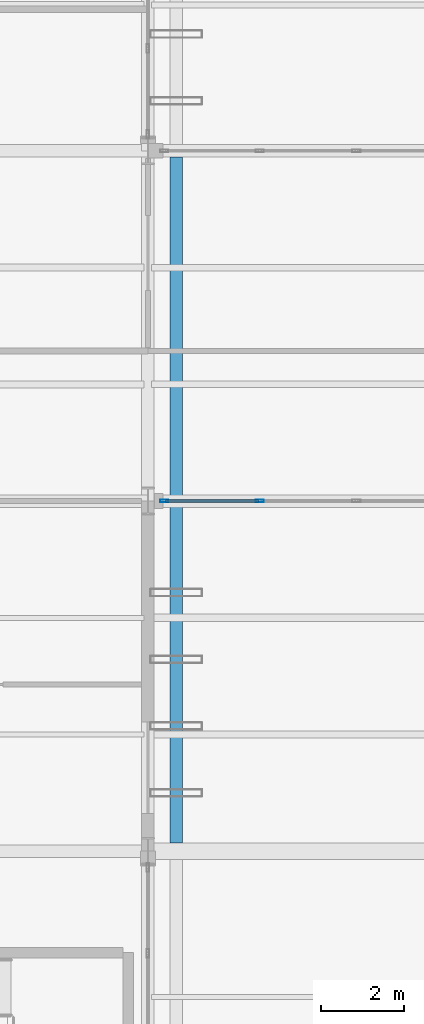
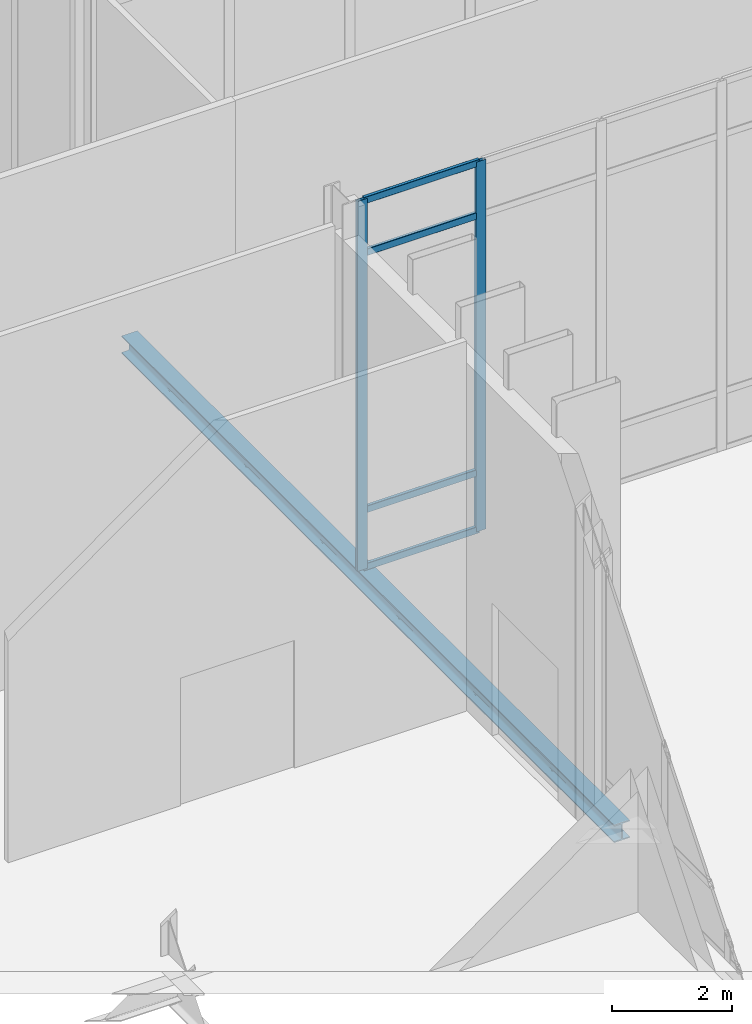
# One storey, part 95 of 176: 6 members, 1 beam, 1 element without a shape of its own.
"""IFC4 building model written with IfcOpenShell, lengths in metres."""

from ifc_helpers import new_model, si_unit, direction, frame, origin, origin_2d, place, context, subcontext, project, spatial, hollow_rectangle, i_section, extrude, material, layer, layer_set, material_profile, profile_set, type_object, element, aggregate, save


model = new_model("IFC4")

# Units and contexts
model_context = context("Model", 3, precision=1e-05, world=origin(), true_north=direction((0.0, 1.0)))
body_context = subcontext(model_context, "Body", "Model", "MODEL_VIEW")
ifc_project = project(units=[si_unit("LENGTHUNIT", "METRE"), si_unit("AREAUNIT", "SQUARE_METRE"), si_unit("VOLUMEUNIT", "CUBIC_METRE"), si_unit("PLANEANGLEUNIT", "RADIAN"), si_unit("MASSUNIT", "GRAM", prefix="KILO")], contexts=[model_context])

# Site, building, storey
site_placement = place(None, origin())
site = spatial("IfcSite", under=ifc_project, at=site_placement, CompositionType="ELEMENT")
building_placement = place(site_placement, origin())
building = spatial("IfcBuilding", under=site, at=building_placement, Name="Vekula Escarpment Museum", CompositionType="ELEMENT")
storey_placement = place(building_placement, origin())
storey = spatial("IfcBuildingStorey", under=building, at=storey_placement, Name="L01", CompositionType="ELEMENT", Elevation=0.0)

# Beam
ifc_material_1 = material(Name="Steel S355", Category="steel")
ifc_material_profile_1 = material_profile(ifc_material_1, i_section(OverallWidth=0.300048828125, OverallDepth=0.360107421875, WebThickness=0.012451171875, FlangeThickness=0.0224609375, FilletRadius=0.027099609375, at=origin_2d()), Name="HEB 360")
ifc_profile_set_1 = profile_set([ifc_material_profile_1], Name="Steel S355")
beam_type = type_object("IfcBeamType", Name="BM-GIRD-HEB360", PredefinedType="BEAM", material=ifc_profile_set_1)
beam_placement = place(storey_placement, frame((126.679931640625, 59.800048828125, -0.47998046875), z_axis=(0.0, 1.0, 0.0), x_axis=(-1.0, 0.0, 0.0)))
element("IfcBeam", 1, at=beam_placement, inside=storey, type_object=beam_type, Name="Solar Fin Sill Girder 021", PredefinedType="BEAM", context=body_context, shape_type="SweptSolid", body=[
    extrude(i_section(OverallWidth=0.300048828125, OverallDepth=0.360107421875, WebThickness=0.012451171875, FlangeThickness=0.0224609375, FilletRadius=0.027099609375, at=origin_2d()), origin(), (0.0, 0.0, 1.0), 16.449951171875),
])

# Curtain wall, members
ifc_material_2 = material(Name="Aluminium thermally broken framing", Category="aluminium")
ifc_layer = layer(ifc_material_2, 0.159912109375)
ifc_layer_set = layer_set([ifc_layer], Name="Aluminium thermally broken framing")
curtain_wall_type = type_object("IfcCurtainWallType", Name="CW-SYS-02", PredefinedType="NOTDEFINED", material=ifc_layer_set)
curtain_wall_placement = place(storey_placement, origin())
curtain_wall = element("IfcCurtainWall", 2, at=curtain_wall_placement, inside=storey, type_object=curtain_wall_type, Name="Curtain Wall CW-L01-012", PredefinedType="NOTDEFINED")
ifc_material_3 = material(Name="Aluminium anodized mullion", Category="aluminium")
ifc_material_profile_2 = material_profile(ifc_material_3, hollow_rectangle(XDim=0.06494140625, YDim=0.199951171875, WallThickness=0.00390625, InnerFilletRadius=0.00390625, OuterFilletRadius=0.008056640625, at=origin_2d()), Name="ALU 200x65x4")
ifc_profile_set_2 = profile_set([ifc_material_profile_2], Name="Aluminium anodized mullion")
member_type_1 = type_object("IfcMemberType", Name="CW-MUL-200", PredefinedType="MULLION", material=ifc_profile_set_2)
member_1_placement = place(storey_placement, frame((126.392578125, 68.0, 0.0), z_axis=(0.0, 0.0, 1.0), x_axis=(0.0, 1.0, 0.0)))
member_1 = element("IfcMember", 3, at=member_1_placement, type_object=member_type_1, Name="CW-02 mullion 1", PredefinedType="MULLION", context=body_context, shape_type="SweptSolid", body=[
    extrude(hollow_rectangle(XDim=0.06494140625, YDim=0.199951171875, WallThickness=0.00390625, InnerFilletRadius=0.00390625, OuterFilletRadius=0.008056640625, at=origin_2d()), origin(), (0.0, 0.0, 1.0), 7.5400390625),
])
member_2_placement = place(storey_placement, frame((128.679931640625, 68.0, 0.0), z_axis=(0.0, 0.0, 1.0), x_axis=(0.0, 1.0, 0.0)))
member_2 = element("IfcMember", 4, at=member_2_placement, type_object=member_type_1, Name="CW-02 mullion 2", PredefinedType="MULLION", context=body_context, shape_type="SweptSolid", body=[
    extrude(hollow_rectangle(XDim=0.06494140625, YDim=0.199951171875, WallThickness=0.00390625, InnerFilletRadius=0.00390625, OuterFilletRadius=0.008056640625, at=origin_2d()), origin(), (0.0, 0.0, 1.0), 7.5400390625),
])
ifc_material_4 = material(Name="Aluminium anodized transom", Category="aluminium")
ifc_material_profile_3 = material_profile(ifc_material_4, hollow_rectangle(XDim=0.06494140625, YDim=0.139892578125, WallThickness=0.00390625, InnerFilletRadius=0.00390625, OuterFilletRadius=0.008056640625, at=origin_2d()), Name="ALU 140x65x4")
ifc_profile_set_3 = profile_set([ifc_material_profile_3], Name="Aluminium anodized transom")
member_type_2 = type_object("IfcMemberType", Name="CW-TRN-140", PredefinedType="USERDEFINED", material=ifc_profile_set_3)
member_3_placement = place(storey_placement, frame((126.425048828125, 68.0, 0.032470703125), z_axis=(1.0, 0.0, 0.0), x_axis=(0.0, 1.0, 0.0)))
member_3 = element("IfcMember", 5, at=member_3_placement, type_object=member_type_2, Name="CW-02 transom 1.1", ObjectType="TRANSOM", PredefinedType="USERDEFINED", context=body_context, shape_type="SweptSolid", body=[
    extrude(hollow_rectangle(XDim=0.06494140625, YDim=0.139892578125, WallThickness=0.00390625, InnerFilletRadius=0.00390625, OuterFilletRadius=0.008056640625, at=origin_2d()), origin(), (0.0, 0.0, 1.0), 2.222412109375),
])
member_4_placement = place(storey_placement, frame((126.425048828125, 68.0, 1.199951171875), z_axis=(1.0, 0.0, 0.0), x_axis=(0.0, 1.0, 0.0)))
member_4 = element("IfcMember", 6, at=member_4_placement, type_object=member_type_2, Name="CW-02 transom 1.2", ObjectType="TRANSOM", PredefinedType="USERDEFINED", context=body_context, shape_type="SweptSolid", body=[
    extrude(hollow_rectangle(XDim=0.06494140625, YDim=0.139892578125, WallThickness=0.00390625, InnerFilletRadius=0.00390625, OuterFilletRadius=0.008056640625, at=origin_2d()), origin(), (0.0, 0.0, 1.0), 2.222412109375),
])
member_5_placement = place(storey_placement, frame((126.425048828125, 68.0, 6.43994140625), z_axis=(1.0, 0.0, 0.0), x_axis=(0.0, 1.0, 0.0)))
member_5 = element("IfcMember", 7, at=member_5_placement, type_object=member_type_2, Name="CW-02 transom 1.3", ObjectType="TRANSOM", PredefinedType="USERDEFINED", context=body_context, shape_type="SweptSolid", body=[
    extrude(hollow_rectangle(XDim=0.06494140625, YDim=0.139892578125, WallThickness=0.00390625, InnerFilletRadius=0.00390625, OuterFilletRadius=0.008056640625, at=origin_2d()), origin(), (0.0, 0.0, 1.0), 2.222412109375),
])
member_6_placement = place(storey_placement, frame((126.425048828125, 68.0, 7.507568359375), z_axis=(1.0, 0.0, 0.0), x_axis=(0.0, 1.0, 0.0)))
member_6 = element("IfcMember", 8, at=member_6_placement, type_object=member_type_2, Name="CW-02 transom 1.4", ObjectType="TRANSOM", PredefinedType="USERDEFINED", context=body_context, shape_type="SweptSolid", body=[
    extrude(hollow_rectangle(XDim=0.06494140625, YDim=0.139892578125, WallThickness=0.00390625, InnerFilletRadius=0.00390625, OuterFilletRadius=0.008056640625, at=origin_2d()), origin(), (0.0, 0.0, 1.0), 2.222412109375),
])
aggregate(curtain_wall, [member_1, member_2, member_3, member_4, member_5, member_6])

save(model, "model.ifc")
